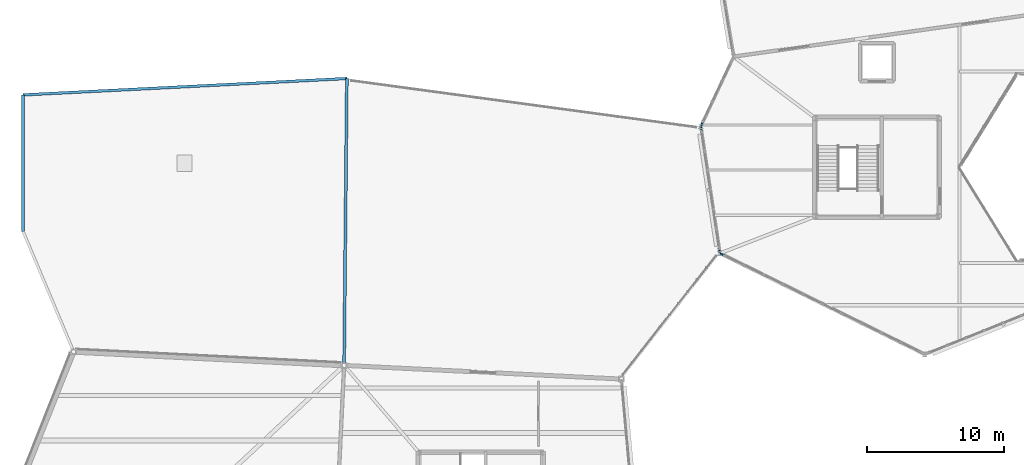
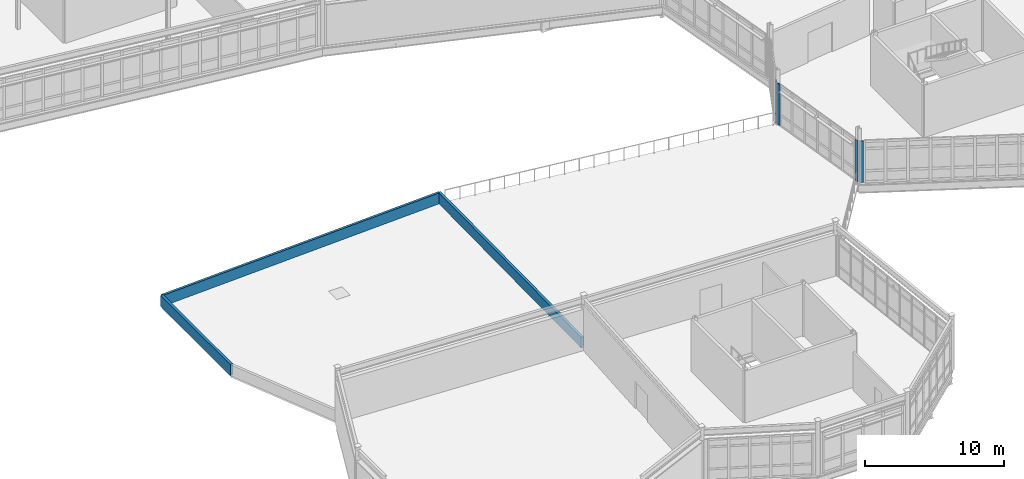
# One storey, part 88 of 114: 7 walls.
"""IFC4 building model written with IfcOpenShell, lengths in metres."""

import ifcopenshell
import ifcopenshell.guid

model = None  # the IFC model being written
_history = None  # IfcOwnerHistory: only IFC2X3 demands one
_inside = {}  # id of a spatial element -> (the spatial element, [elements in it])
_under = {}  # id of a project, library or spatial element -> (it, [spatial elements below it])
_declared = {}  # id of a project -> (the project, [libraries it declares])
_typed = {}  # id of a type object -> (the type object, [elements of that type])
_made_of = {}  # id of a material, layer set ... -> (it, [elements and type objects made of it])


def new_model(schema):
    """Start an empty IFC model of exactly this schema.

    Asked for "IFC4X3", IfcOpenShell would pick the latest addendum, in which some entities
    have other attributes; the version numbers below select the first issue.
    IFC2X3 requires an IfcOwnerHistory on every rooted entity: one is made here for all.
    """
    global model, _history
    if schema == "IFC4X3":
        model = ifcopenshell.file(schema_version=(4, 3, 0, 0))
    else:
        model = ifcopenshell.file(schema=schema)
    _inside.clear()
    _under.clear()
    _declared.clear()
    _typed.clear()
    _made_of.clear()
    _history = None
    if model.schema == "IFC2X3":
        org = make("IfcOrganization", Name="unknown")
        user = make(
            "IfcPersonAndOrganization",
            ThePerson=make("IfcPerson", FamilyName="unknown"),
            TheOrganization=org,
        )
        app = make(
            "IfcApplication",
            ApplicationDeveloper=org,
            Version="unknown",
            ApplicationFullName="unknown",
            ApplicationIdentifier="unknown",
        )
        _history = make(
            "IfcOwnerHistory",
            OwningUser=user,
            OwningApplication=app,
            ChangeAction="ADDED",
            CreationDate=0,
        )
    return model


def make(cls, **values):
    """One entity of the class cls with the attributes given. An attribute that is None is left unset."""
    return model.create_entity(
        cls, **{name: value for name, value in values.items() if value is not None}
    )


def rooted(cls, **values):
    """An entity with a GlobalId (a new one), such as an element, a storey or a relation."""
    return make(cls, GlobalId=ifcopenshell.guid.new(), OwnerHistory=_history, **values)


def si_unit(unit_type, name, prefix=None):
    """IfcSIUnit, for example si_unit("LENGTHUNIT", "METRE", prefix="MILLI")."""
    return make("IfcSIUnit", UnitType=unit_type, Prefix=prefix, Name=name)


def assignment(units):
    """IfcUnitAssignment: the units of a project."""
    return None if units is None else make("IfcUnitAssignment", Units=units)


def point(xyz):
    """IfcCartesianPoint."""
    return None if xyz is None else make("IfcCartesianPoint", Coordinates=xyz)


def direction(xyz):
    """IfcDirection."""
    return None if xyz is None else make("IfcDirection", DirectionRatios=xyz)


def frame(location, z_axis=None, x_axis=None):
    """IfcAxis2Placement3D, a coordinate frame: its origin and axes. An axis left out is left unset."""
    return make(
        "IfcAxis2Placement3D",
        Location=point(location),
        Axis=direction(z_axis),
        RefDirection=direction(x_axis),
    )


def frame_2d(location, x_axis=None):
    """IfcAxis2Placement2D, a coordinate frame in the plane: its origin and x axis."""
    return make(
        "IfcAxis2Placement2D", Location=point(location), RefDirection=direction(x_axis)
    )


def origin():
    """The frame at (0, 0, 0) with its axes left unset."""
    return frame((0.0, 0.0, 0.0))


def place(relative_to, where):
    """IfcLocalPlacement: puts the frame where relative to a parent placement (None: the world)."""
    return make(
        "IfcLocalPlacement", PlacementRelTo=relative_to, RelativePlacement=where
    )


def context(
    kind, dimensions, precision=None, world=None, true_north=None, identifier=None
):
    """IfcGeometricRepresentationContext, for example the 3D "Model" context."""
    return make(
        "IfcGeometricRepresentationContext",
        ContextIdentifier=identifier,
        ContextType=kind,
        CoordinateSpaceDimension=dimensions,
        Precision=precision,
        WorldCoordinateSystem=world,
        TrueNorth=true_north,
    )


def subcontext(parent, identifier, kind, view, scale=None):
    """IfcGeometricRepresentationSubContext, for example "Body" below "Model"."""
    return make(
        "IfcGeometricRepresentationSubContext",
        ContextIdentifier=identifier,
        ContextType=kind,
        ParentContext=parent,
        TargetScale=scale,
        TargetView=view,
    )


def project(units=None, contexts=None):
    """IfcProject with its units and contexts."""
    return rooted(
        "IfcProject",
        Name="project",
        RepresentationContexts=contexts,
        UnitsInContext=assignment(units),
    )


def spatial(cls, under=None, at=None, **own):
    """A site, building, storey or space (cls), placed at a placement, below another one or the project."""
    s = rooted(cls, ObjectPlacement=at, **own)
    if under is not None:
        _under.setdefault(under.id(), (under, []))[1].append(s)
    return s


def profile(cls, at=None, kind="AREA", **sizes):
    """A parametric profile (cls). Its sizes go by their IFC names, for example OverallWidth=200.0."""
    return make(cls, ProfileType=kind, Position=at, **sizes)


def rectangle(**sizes):
    """IfcRectangleProfileDef."""
    return profile("IfcRectangleProfileDef", **sizes)


def extrude(swept, where, along, depth):
    """IfcExtrudedAreaSolid: the profile swept, set in the frame where, extruded along a direction by depth."""
    return make(
        "IfcExtrudedAreaSolid",
        SweptArea=swept,
        Position=where,
        ExtrudedDirection=direction(along),
        Depth=depth,
    )


def shape(context_of_items, identifier, shape_type, items):
    """IfcShapeRepresentation: the items that make up one representation, for example the "Body"."""
    return make(
        "IfcShapeRepresentation",
        ContextOfItems=context_of_items,
        RepresentationIdentifier=identifier,
        RepresentationType=shape_type,
        Items=items,
    )


def material(Name=None, Category=None):
    """IfcMaterial."""
    return make("IfcMaterial", Name=Name, Category=Category)


def layer(
    of_material, thickness, ventilated=None, Name=None, Category=None, Priority=None
):
    """IfcMaterialLayer: one layer of a wall or slab, of a material (None: an air gap)."""
    return make(
        "IfcMaterialLayer",
        Material=of_material,
        LayerThickness=thickness,
        IsVentilated=ventilated,
        Name=Name,
        Category=Category,
        Priority=Priority,
    )


def layer_set(layers, Name=None):
    """IfcMaterialLayerSet."""
    return make("IfcMaterialLayerSet", MaterialLayers=layers, LayerSetName=Name)


def made_of(thing, what):
    """Note that an element or type object is made of a material, layer set ...; save() writes the relation."""
    if what is not None:
        _made_of.setdefault(what.id(), (what, []))[1].append(thing)
    return thing


def type_object(cls, material=None, **own):
    """A type object (cls), such as IfcWallType, which elements share."""
    return made_of(rooted(cls, **own), material)


def element(
    cls,
    number,
    at=None,
    inside=None,
    cuts=None,
    type_object=None,
    material=None,
    context=None,
    identifier="Body",
    shape_type=None,
    held_by="IfcProductDefinitionShape",
    body=None,
    shapes=None,
    **own,
):
    """One element of the class cls, such as IfcWall. Its Tag is "e" and its number.

    at: its placement. inside: the storey or other place that contains it. cuts: it is an
    opening in that element (IfcRelVoidsElement). A single representation is given by context,
    identifier, shape_type and body (its items); several are given by shapes. held_by: the class
    of the entity that holds the representations. save() writes the other relations.
    """
    e = rooted(cls, Tag="e%d" % number, ObjectPlacement=at, **own)
    if body is not None:
        shapes = [shape(context, identifier, shape_type, body)]
    if shapes is not None:
        e.Representation = make(held_by, Representations=shapes)
    if inside is not None:
        _inside.setdefault(inside.id(), (inside, []))[1].append(e)
    if cuts is not None:
        rooted(
            "IfcRelVoidsElement", RelatingBuildingElement=cuts, RelatedOpeningElement=e
        )
    if type_object is not None:
        _typed.setdefault(type_object.id(), (type_object, []))[1].append(e)
    return made_of(e, material)


def aggregate(whole, parts):
    """IfcRelAggregates: a whole, such as a stair, and the parts it consists of."""
    return rooted("IfcRelAggregates", RelatingObject=whole, RelatedObjects=parts)


def save(model, path):
    """Write the relations noted so far, then the file.

    IfcRelAggregates (storeys below a building ...), IfcRelContainedInSpatialStructure (elements
    in a storey), IfcRelDefinesByType, IfcRelAssociatesMaterial and IfcRelDeclares: one each for
    every whole, place, type object, material and project.
    """
    for whole, parts in _under.values():
        aggregate(whole, parts)
    for where, things in _inside.values():
        rooted(
            "IfcRelContainedInSpatialStructure",
            RelatedElements=things,
            RelatingStructure=where,
        )
    for kind, things in _typed.values():
        rooted("IfcRelDefinesByType", RelatedObjects=things, RelatingType=kind)
    for what, things in _made_of.values():
        rooted("IfcRelAssociatesMaterial", RelatedObjects=things, RelatingMaterial=what)
    for by, libraries in _declared.values():
        rooted("IfcRelDeclares", RelatingContext=by, RelatedDefinitions=libraries)
    model.write(path)


model = new_model("IFC4")

# Units and contexts
model_context = context("Model", 3, precision=1e-05, world=origin(), true_north=direction((0.0, 1.0)))
body_context = subcontext(model_context, "Body", "Model", "MODEL_VIEW")
ifc_project = project(units=[si_unit("LENGTHUNIT", "METRE"), si_unit("AREAUNIT", "SQUARE_METRE"), si_unit("VOLUMEUNIT", "CUBIC_METRE"), si_unit("PLANEANGLEUNIT", "RADIAN"), si_unit("MASSUNIT", "GRAM", prefix="KILO")], contexts=[model_context])

# Site, building, storey
site_placement = place(None, origin())
site = spatial("IfcSite", under=ifc_project, at=site_placement, CompositionType="ELEMENT")
building_placement = place(site_placement, origin())
building = spatial("IfcBuilding", under=site, at=building_placement, Name="Tameran Prism Museum", CompositionType="ELEMENT")
storey_placement = place(building_placement, frame((0.0, 0.0, 10.199951171875)))
storey = spatial("IfcBuildingStorey", under=building, at=storey_placement, Name="L02", CompositionType="ELEMENT", Elevation=10.199951171875)

# Walls
ifc_material_1 = material(Name="Precast Concrete N40 (40 MPa)", Category="concrete")
ifc_layer_1 = layer(ifc_material_1, 0.094970703125)
ifc_layer_set_1 = layer_set([ifc_layer_1])
wall_type_1 = type_object("IfcWallType", Name="EW-CLOS-095", PredefinedType="SOLIDWALL", material=ifc_layer_set_1)
for number, where, z_axis, x_axis, name in (
    (1, (50.993896484375, 30.241943359375, 0.0), (0.0, 0.0, 1.0), (-0.14931129712, 0.988790238904, 0.0), "Facade Corner Closure EW-0292"),
    (2, (49.652099609375, 39.154052734375, 0.0), (0.0, 0.0, 1.0), (-0.15008766182, 0.988672692942, 0.0), "Facade Corner Closure EW-0293"),
):
    element("IfcWall", number, at=place(storey_placement, frame(where, z_axis=z_axis, x_axis=x_axis)), inside=storey, type_object=wall_type_1, Name=name, PredefinedType="SOLIDWALL", context=body_context, shape_type="SweptSolid", body=[
        extrude(rectangle(XDim=0.307373046875, YDim=0.094970703125, at=frame_2d((0.15380859375, 0.0))), origin(), (0.0, 0.0, 1.0), 3.6201171875),
    ])
wall_1_placement = place(storey_placement, frame((51.31396484375, 30.044921875, 0.0), z_axis=(0.0, 0.0, 1.0), x_axis=(-0.896952807524, 0.44212629539, 0.0)))
element("IfcWall", 3, at=wall_1_placement, inside=storey, type_object=wall_type_1, Name="Facade Corner Closure EW-0295", PredefinedType="SOLIDWALL", context=body_context, shape_type="SweptSolid", body=[
    extrude(rectangle(XDim=0.3076171875, YDim=0.094970703125, at=frame_2d((0.15380859375, 0.0))), origin(), (0.0, 0.0, 1.0), 3.6201171875),
])
wall_2_placement = place(storey_placement, frame((49.617919921875, 39.5380859375, 0.0), z_axis=(0.0, 0.0, 1.0), x_axis=(0.425529884469, 0.904944372558, 0.0)))
element("IfcWall", 4, at=wall_2_placement, inside=storey, type_object=wall_type_1, Name="Facade Corner Closure EW-0298", PredefinedType="SOLIDWALL", context=body_context, shape_type="SweptSolid", body=[
    extrude(rectangle(XDim=0.30810546875, YDim=0.094970703125, at=frame_2d((0.154052734375, 0.0))), origin(), (0.0, 0.0, 1.0), 3.6201171875),
])
ifc_material_2 = material(Name="Precast Concrete N40 (40 MPa)", Category="concrete")
ifc_layer_2 = layer(ifc_material_2, 0.195068359375)
ifc_layer_set_2 = layer_set([ifc_layer_2])
wall_type_2 = type_object("IfcWallType", Name="EW-PAR-195", PredefinedType="PARAPET", material=ifc_layer_set_2)
wall_3_placement = place(storey_placement, frame((23.699951171875, 43.0, 0.0), z_axis=(0.0, 0.0, 1.0), x_axis=(-0.998720712235, -0.050566183885, 0.0)))
element("IfcWall", 5, at=wall_3_placement, inside=storey, type_object=wall_type_2, Name="Roof Parapet EP-001", PredefinedType="PARAPET", context=body_context, shape_type="SweptSolid", body=[
    extrude(rectangle(XDim=23.730224609375, YDim=0.195068359375, at=frame_2d((11.865234375, 0.0))), origin(), (0.0, 0.0, 1.0), 0.949951171875),
])
ifc_material_3 = material(Name="Precast Concrete N40 (40 MPa)", Category="concrete")
ifc_layer_3 = layer(ifc_material_3, 0.215087890625)
ifc_layer_set_3 = layer_set([ifc_layer_3])
wall_type_3 = type_object("IfcWallType", Name="EW-PAR-215", PredefinedType="PARAPET", material=ifc_layer_set_3)
wall_4_placement = place(storey_placement, frame((0.0, 41.800048828125, 0.0), z_axis=(0.0, 0.0, 1.0), x_axis=(0.0, -1.0, 0.0)))
element("IfcWall", 6, at=wall_4_placement, inside=storey, type_object=wall_type_3, Name="Roof Parapet EP-002", PredefinedType="PARAPET", context=body_context, shape_type="SweptSolid", body=[
    extrude(rectangle(XDim=10.0, YDim=0.215087890625, at=frame_2d((5.0, 0.0))), origin(), (0.0, 0.0, 1.0), 0.949951171875),
])
wall_5_placement = place(storey_placement, frame((23.501953125, 22.179931640625, 0.0), z_axis=(0.0, 0.0, 1.0), x_axis=(0.009509531412, 0.999954783384, 0.0)))
element("IfcWall", 7, at=wall_5_placement, inside=storey, type_object=wall_type_3, Name="Roof Parapet EP-004", PredefinedType="PARAPET", context=body_context, shape_type="SweptSolid", body=[
    extrude(rectangle(XDim=20.821044921875, YDim=0.215087890625, at=frame_2d((10.41064453125, 0.0))), origin(), (0.0, 0.0, 1.0), 0.949951171875),
])

save(model, "model.ifc")
